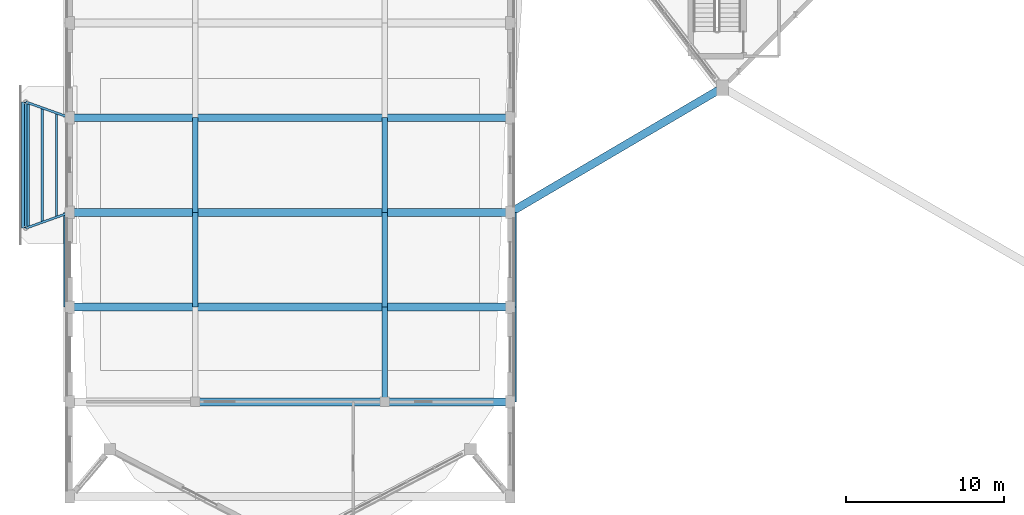
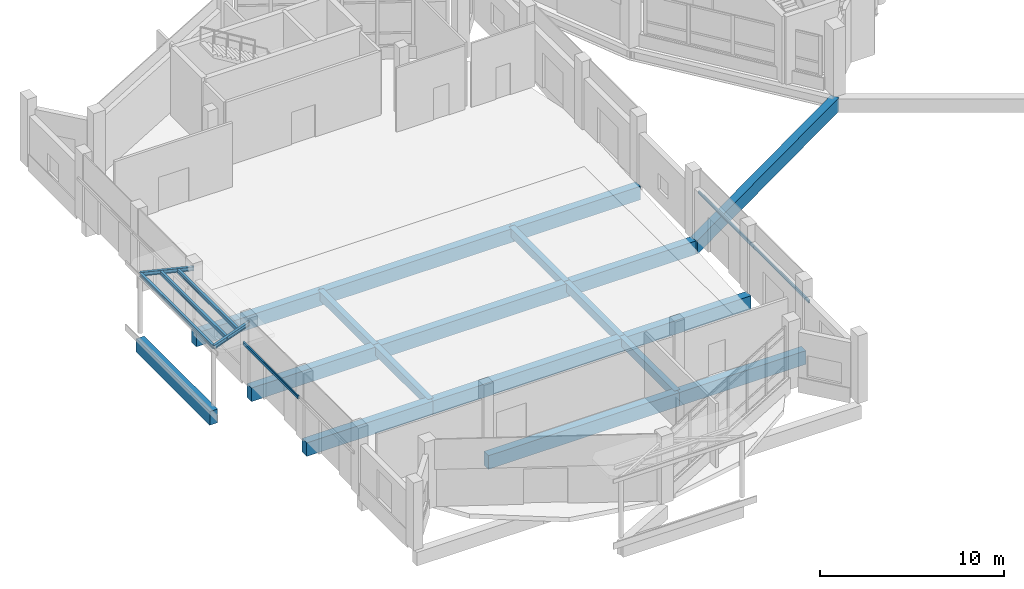
# One storey, part 21 of 129: 24 beams, 2 members.
"""IFC4 building model written with IfcOpenShell, lengths in metres."""

from ifc_helpers import new_model, si_unit, direction, frame, origin, origin_2d, place, context, subcontext, project, spatial, rectangle, hollow_rectangle, i_section, extrude, material, material_profile, profile_set, type_object, element, save


model = new_model("IFC4")

# Units and contexts
model_context = context("Model", 3, precision=1e-05, world=origin(), true_north=direction((0.0, 1.0)))
body_context = subcontext(model_context, "Body", "Model", "MODEL_VIEW")
ifc_project = project(units=[si_unit("LENGTHUNIT", "METRE"), si_unit("AREAUNIT", "SQUARE_METRE"), si_unit("VOLUMEUNIT", "CUBIC_METRE"), si_unit("PLANEANGLEUNIT", "RADIAN"), si_unit("MASSUNIT", "GRAM", prefix="KILO")], contexts=[model_context])

# Site, building, storey
site_placement = place(None, origin())
site = spatial("IfcSite", under=ifc_project, at=site_placement, CompositionType="ELEMENT")
building_placement = place(site_placement, origin())
building = spatial("IfcBuilding", under=site, at=building_placement, Name="Vespera Passage Community Centre", CompositionType="ELEMENT")
storey_placement = place(building_placement, origin())
storey = spatial("IfcBuildingStorey", under=building, at=storey_placement, Name="L00", CompositionType="ELEMENT", Elevation=0.0)

# Beams
ifc_material_1 = material(Name="Steel ASTM A992 Grade 50", Category="steel")
ifc_material_profile_1 = material_profile(ifc_material_1, i_section(OverallWidth=0.146484375, OverallDepth=0.26171875, WebThickness=0.006591796875, FlangeThickness=0.01123046875, FilletRadius=0.007568359375, at=origin_2d()), Name="W10X26")
ifc_profile_set_1 = profile_set([ifc_material_profile_1], Name="Steel ASTM A992 Grade 50")
beam_type_1 = type_object("IfcBeamType", Name="BM-EC1-CANT", PredefinedType="BEAM", material=ifc_profile_set_1)
beam_1_placement = place(storey_placement, frame((1.25, 24.0, 3.879150390625), z_axis=(0.0, 1.0, 0.0), x_axis=(-1.0, 0.0, 0.0)))
element("IfcBeam", 1, at=beam_1_placement, inside=storey, type_object=beam_type_1, Name="EC1 Canopy Edge Beam", PredefinedType="BEAM", context=body_context, shape_type="SweptSolid", body=[
    extrude(i_section(OverallWidth=0.146484375, OverallDepth=0.26171875, WebThickness=0.006591796875, FlangeThickness=0.01123046875, FilletRadius=0.007568359375, at=origin_2d()), origin(), (0.0, 0.0, 1.0), 8.0),
])
for number, where, z_axis, x_axis, name in (
    (2, (1.25, 24.0, 3.879150390625), (0.94174376932, 0.336331195321, 0.0), (-0.336331195321, 0.94174376932, 0.0), "EC1 Tie S"),
    (3, (1.25, 32.0, 3.879150390625), (0.94174376932, -0.336331195321, 0.0), (0.336331195321, 0.94174376932, 0.0), "EC1 Tie N"),
):
    element("IfcBeam", number, at=place(storey_placement, frame(where, z_axis=z_axis, x_axis=x_axis)), inside=storey, type_object=beam_type_1, Name=name, PredefinedType="BEAM", context=body_context, shape_type="SweptSolid", body=[
        extrude(i_section(OverallWidth=0.146484375, OverallDepth=0.26171875, WebThickness=0.006591796875, FlangeThickness=0.01123046875, FilletRadius=0.007568359375, at=origin_2d()), origin(), (0.0, 0.0, 1.0), 2.97314453125),
    ])
ifc_material_2 = material(Name="Concrete f'c 45 MPa", Category="concrete")
ifc_material_profile_2 = material_profile(ifc_material_2, rectangle(XDim=0.5, YDim=0.89990234375, at=origin_2d()), Name="RC500X900")
ifc_profile_set_2 = profile_set([ifc_material_profile_2], Name="Concrete f'c 45 MPa")
beam_type_2 = type_object("IfcBeamType", Name="BM-G-500X900", PredefinedType="BEAM", material=ifc_profile_set_2)
beam_2_placement = place(storey_placement, frame((12.0, 13.0, -0.75), z_axis=(1.0, 0.0, 0.0), x_axis=(0.0, 1.0, 0.0)))
element("IfcBeam", 4, at=beam_2_placement, inside=storey, type_object=beam_type_2, Name="V1 L00 Floor Girder 2.2", PredefinedType="BEAM", context=body_context, shape_type="SweptSolid", body=[
    extrude(rectangle(XDim=0.5, YDim=0.89990234375, at=origin_2d()), origin(), (0.0, 0.0, 1.0), 12.0),
])
for number, where, z_axis, x_axis, name in (
    (5, (24.0, 13.0, -0.75), (1.0, 0.0, 0.0), (0.0, 1.0, 0.0), "V1 L00 Floor Girder 2.3"),
    (6, (4.050048828125, 19.0, -0.75), (1.0, 0.0, 0.0), (0.0, 1.0, 0.0), "V1 L00 Floor Girder 3.1"),
):
    element("IfcBeam", number, at=place(storey_placement, frame(where, z_axis=z_axis, x_axis=x_axis)), inside=storey, type_object=beam_type_2, Name=name, PredefinedType="BEAM", context=body_context, shape_type="SweptSolid", body=[
        extrude(rectangle(XDim=0.5, YDim=0.89990234375, at=origin_2d()), origin(), (0.0, 0.0, 1.0), 7.949951171875),
    ])
beam_3_placement = place(storey_placement, frame((12.0, 19.0, -0.75), z_axis=(1.0, 0.0, 0.0), x_axis=(0.0, 1.0, 0.0)))
element("IfcBeam", 7, at=beam_3_placement, inside=storey, type_object=beam_type_2, Name="V1 L00 Floor Girder 3.2", PredefinedType="BEAM", context=body_context, shape_type="SweptSolid", body=[
    extrude(rectangle(XDim=0.5, YDim=0.89990234375, at=origin_2d()), origin(), (0.0, 0.0, 1.0), 12.0),
])
for number, where, z_axis, x_axis, name in (
    (8, (24.0, 19.0, -0.75), (1.0, 0.0, 0.0), (0.0, 1.0, 0.0), "V1 L00 Floor Girder 3.3"),
    (9, (4.050048828125, 25.0, -0.75), (1.0, 0.0, 0.0), (0.0, 1.0, 0.0), "V1 L00 Floor Girder 4.1"),
):
    element("IfcBeam", number, at=place(storey_placement, frame(where, z_axis=z_axis, x_axis=x_axis)), inside=storey, type_object=beam_type_2, Name=name, PredefinedType="BEAM", context=body_context, shape_type="SweptSolid", body=[
        extrude(rectangle(XDim=0.5, YDim=0.89990234375, at=origin_2d()), origin(), (0.0, 0.0, 1.0), 7.949951171875),
    ])
beam_4_placement = place(storey_placement, frame((12.0, 25.0, -0.75), z_axis=(1.0, 0.0, 0.0), x_axis=(0.0, 1.0, 0.0)))
element("IfcBeam", 10, at=beam_4_placement, inside=storey, type_object=beam_type_2, Name="V1 L00 Floor Girder 4.2", PredefinedType="BEAM", context=body_context, shape_type="SweptSolid", body=[
    extrude(rectangle(XDim=0.5, YDim=0.89990234375, at=origin_2d()), origin(), (0.0, 0.0, 1.0), 12.0),
])
for number, where, z_axis, x_axis, name in (
    (11, (24.0, 25.0, -0.75), (1.0, 0.0, 0.0), (0.0, 1.0, 0.0), "V1 L00 Floor Girder 4.3"),
    (12, (4.050048828125, 31.0, -0.75), (1.0, 0.0, 0.0), (0.0, 1.0, 0.0), "V1 L00 Floor Girder 5.1"),
):
    element("IfcBeam", number, at=place(storey_placement, frame(where, z_axis=z_axis, x_axis=x_axis)), inside=storey, type_object=beam_type_2, Name=name, PredefinedType="BEAM", context=body_context, shape_type="SweptSolid", body=[
        extrude(rectangle(XDim=0.5, YDim=0.89990234375, at=origin_2d()), origin(), (0.0, 0.0, 1.0), 7.949951171875),
    ])
beam_5_placement = place(storey_placement, frame((12.0, 31.0, -0.75), z_axis=(1.0, 0.0, 0.0), x_axis=(0.0, 1.0, 0.0)))
element("IfcBeam", 13, at=beam_5_placement, inside=storey, type_object=beam_type_2, Name="V1 L00 Floor Girder 5.2", PredefinedType="BEAM", context=body_context, shape_type="SweptSolid", body=[
    extrude(rectangle(XDim=0.5, YDim=0.89990234375, at=origin_2d()), origin(), (0.0, 0.0, 1.0), 12.0),
])
beam_6_placement = place(storey_placement, frame((24.0, 31.0, -0.75), z_axis=(1.0, 0.0, 0.0), x_axis=(0.0, 1.0, 0.0)))
element("IfcBeam", 14, at=beam_6_placement, inside=storey, type_object=beam_type_2, Name="V1 L00 Floor Girder 5.3", PredefinedType="BEAM", context=body_context, shape_type="SweptSolid", body=[
    extrude(rectangle(XDim=0.5, YDim=0.89990234375, at=origin_2d()), origin(), (0.0, 0.0, 1.0), 7.949951171875),
])
beam_7_placement = place(storey_placement, frame((1.25, 24.0, -0.7900390625), z_axis=(0.0, 1.0, 0.0), x_axis=(-1.0, 0.0, 0.0)))
element("IfcBeam", 15, at=beam_7_placement, inside=storey, type_object=beam_type_2, Name="EC1 Grade Tie", PredefinedType="BEAM", context=body_context, shape_type="SweptSolid", body=[
    extrude(rectangle(XDim=0.5, YDim=0.89990234375, at=origin_2d()), origin(), (0.0, 0.0, 1.0), 8.0),
])
beam_8_placement = place(storey_placement, frame((31.949951171875, 25.0, -0.7900390625), z_axis=(0.862237372587, 0.506504406016, 0.0), x_axis=(-0.506504406016, 0.862237372587, 0.0)))
element("IfcBeam", 16, at=beam_8_placement, inside=storey, type_object=beam_type_2, Name="Subgrade Structural Tie Girder 2", PredefinedType="BEAM", context=body_context, shape_type="SweptSolid", body=[
    extrude(rectangle(XDim=0.5, YDim=0.89990234375, at=origin_2d()), origin(), (0.0, 0.0, 1.0), 15.601806640625),
])
ifc_material_3 = material(Name="Concrete f'c 35 MPa", Category="concrete")
ifc_material_profile_3 = material_profile(ifc_material_3, rectangle(XDim=0.35009765625, YDim=0.550048828125, at=origin_2d()), Name="RC350X550")
ifc_profile_set_3 = profile_set([ifc_material_profile_3], Name="Concrete f'c 35 MPa")
beam_type_3 = type_object("IfcBeamType", Name="BM-J-350X550", PredefinedType="JOIST", material=ifc_profile_set_3)
for number, where, z_axis, x_axis, name in (
    (17, (12.0, 19.0, -0.574951171875), (0.0, 1.0, 0.0), (-1.0, 0.0, 0.0), "V1 L00 Spine Beam 1.2"),
    (18, (12.0, 25.0, -0.574951171875), (0.0, 1.0, 0.0), (-1.0, 0.0, 0.0), "V1 L00 Spine Beam 1.3"),
    (19, (24.0, 13.0, -0.574951171875), (0.0, 1.0, 0.0), (-1.0, 0.0, 0.0), "V1 L00 Spine Beam 2.1"),
    (20, (24.0, 19.0, -0.574951171875), (0.0, 1.0, 0.0), (-1.0, 0.0, 0.0), "V1 L00 Spine Beam 2.2"),
    (21, (24.0, 25.0, -0.574951171875), (0.0, 1.0, 0.0), (-1.0, 0.0, 0.0), "V1 L00 Spine Beam 2.3"),
):
    element("IfcBeam", number, at=place(storey_placement, frame(where, z_axis=z_axis, x_axis=x_axis)), inside=storey, type_object=beam_type_3, Name=name, PredefinedType="JOIST", context=body_context, shape_type="SweptSolid", body=[
        extrude(rectangle(XDim=0.35009765625, YDim=0.550048828125, at=origin_2d()), origin(), (0.0, 0.0, 1.0), 6.0),
    ])
ifc_material_4 = material(Name="Steel ASTM A500 Grade C", Category="steel")
ifc_material_profile_4 = material_profile(ifc_material_4, hollow_rectangle(XDim=0.1015625, YDim=0.203125, WallThickness=0.0087890625, InnerFilletRadius=0.0087890625, OuterFilletRadius=0.017822265625, at=origin_2d()), Name="HSS203X102X9.5")
ifc_profile_set_4 = profile_set([ifc_material_profile_4], Name="Steel ASTM A500 Grade C")
beam_type_4 = type_object("IfcBeamType", Name="BM-LN-HSS203X102E", PredefinedType="LINTEL", material=ifc_profile_set_4)
for number, where, z_axis, x_axis, name in (
    (22, (32.300048828125, 19.0, 2.679931640625), (0.0, -1.0, 0.0), (1.0, 0.0, 0.0), "Main Hall Exit Canopy Lintel E2"),
    (23, (3.699951171875, 19.0, 2.679931640625), (0.0, 1.0, 0.0), (-1.0, 0.0, 0.0), "Main Hall Exit Canopy Lintel W3"),
    (24, (32.300048828125, 25.0, 2.679931640625), (0.0, -1.0, 0.0), (1.0, 0.0, 0.0), "Main Hall Exit Canopy Lintel E3"),
):
    element("IfcBeam", number, at=place(storey_placement, frame(where, z_axis=z_axis, x_axis=x_axis)), inside=storey, type_object=beam_type_4, Name=name, PredefinedType="LINTEL", context=body_context, shape_type="SweptSolid", body=[
        extrude(hollow_rectangle(XDim=0.1015625, YDim=0.203125, WallThickness=0.0087890625, InnerFilletRadius=0.0087890625, OuterFilletRadius=0.017822265625, at=origin_2d()), origin(), (0.0, 0.0, 1.0), 6.0),
    ])

# Members
ifc_material_5 = material(Name="Steel ASTM A992 Grade 50", Category="steel")
ifc_material_profile_5 = material_profile(ifc_material_5, i_section(OverallWidth=0.146484375, OverallDepth=0.26171875, WebThickness=0.006591796875, FlangeThickness=0.01123046875, FilletRadius=0.007568359375, at=origin_2d()), Name="W10X26")
ifc_profile_set_5 = profile_set([ifc_material_profile_5], Name="Steel ASTM A992 Grade 50")
member_type = type_object("IfcMemberType", Name="MB-PR-W10X26E", PredefinedType="PURLIN", material=ifc_profile_set_5)
member_1_placement = place(storey_placement, frame((2.300048828125, 24.330078125, 3.879150390625), z_axis=(0.0, 1.0, 0.0), x_axis=(-1.0, 0.0, 0.0)))
element("IfcMember", 25, at=member_1_placement, inside=storey, type_object=member_type, Name="EC1 Canopy Purlin 1", PredefinedType="PURLIN", context=body_context, shape_type="SweptSolid", body=[
    extrude(i_section(OverallWidth=0.146484375, OverallDepth=0.26171875, WebThickness=0.006591796875, FlangeThickness=0.01123046875, FilletRadius=0.007568359375, at=origin_2d()), origin(), (0.0, 0.0, 1.0), 7.33984375),
])
member_2_placement = place(storey_placement, frame((3.199951171875, 24.669921875, 3.879150390625), z_axis=(0.0, 1.0, 0.0), x_axis=(-1.0, 0.0, 0.0)))
element("IfcMember", 26, at=member_2_placement, inside=storey, type_object=member_type, Name="EC1 Canopy Purlin 2", PredefinedType="PURLIN", context=body_context, shape_type="SweptSolid", body=[
    extrude(i_section(OverallWidth=0.146484375, OverallDepth=0.26171875, WebThickness=0.006591796875, FlangeThickness=0.01123046875, FilletRadius=0.007568359375, at=origin_2d()), origin(), (0.0, 0.0, 1.0), 6.66015625),
])

save(model, "model.ifc")
